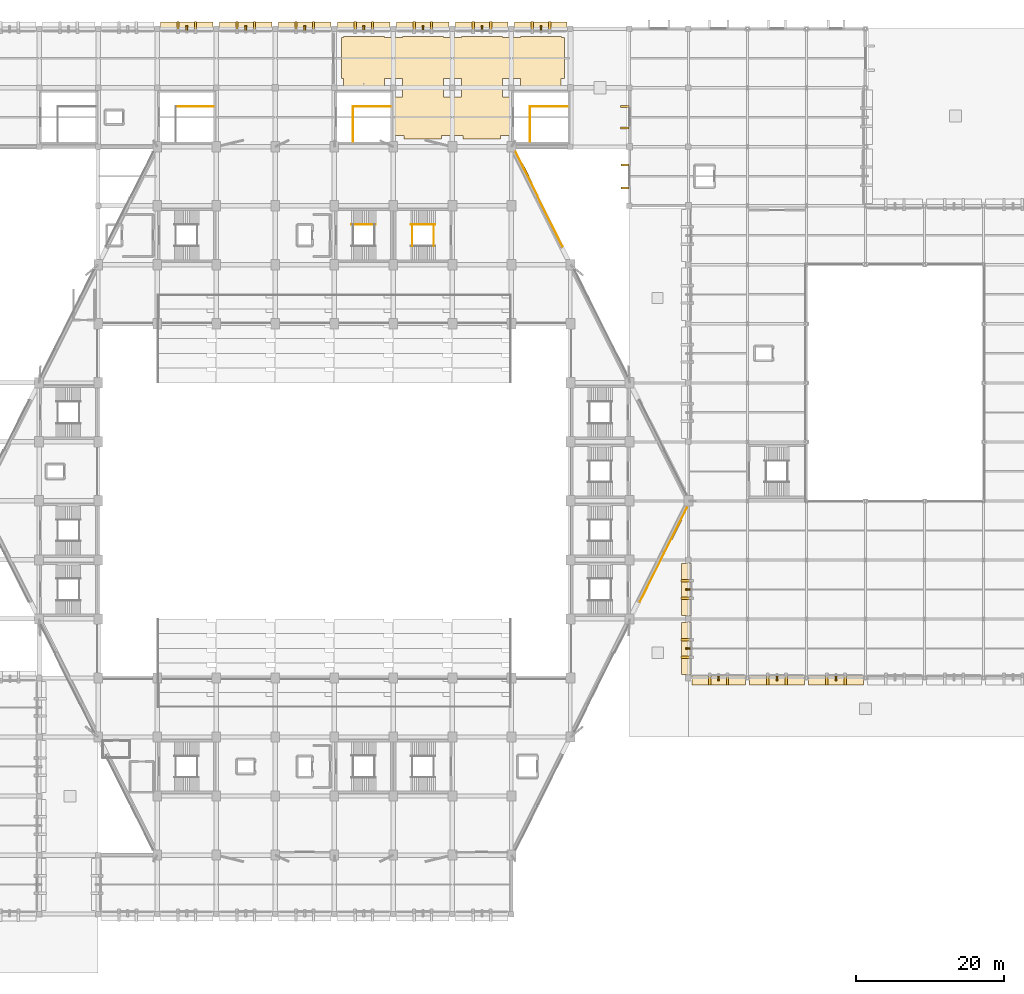
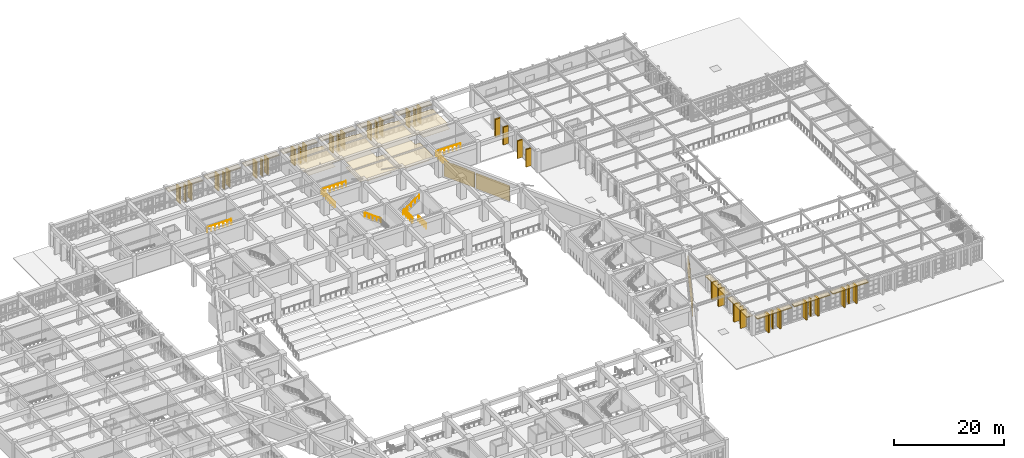
# One storey, part 153 of 155: 45 coverings, 14 shading devices, 9 railings.
"""IFC4 building model written with IfcOpenShell, lengths in metres."""

from ifc_helpers import new_model, si_unit, direction, frame, origin, origin_2d, place, context, subcontext, project, spatial, polyline, rectangle, circle, outline, extrude, material, layer, layer_set, type_object, element, save


model = new_model("IFC4")

# Units and contexts
model_context = context("Model", 3, precision=1e-05, world=origin(), true_north=direction((0.0, 1.0)))
body_context = subcontext(model_context, "Body", "Model", "MODEL_VIEW")
ifc_project = project(units=[si_unit("LENGTHUNIT", "METRE"), si_unit("AREAUNIT", "SQUARE_METRE"), si_unit("VOLUMEUNIT", "CUBIC_METRE"), si_unit("PLANEANGLEUNIT", "RADIAN"), si_unit("MASSUNIT", "GRAM", prefix="KILO")], contexts=[model_context])

# Site, building, storey
site_placement = place(None, origin())
site = spatial("IfcSite", under=ifc_project, at=site_placement, CompositionType="ELEMENT")
building_placement = place(site_placement, origin())
building = spatial("IfcBuilding", under=site, at=building_placement, Name="Tazarka Park Arena", CompositionType="ELEMENT")
storey_placement = place(building_placement, frame((0.0, 0.0, 5.39990234375)))
storey = spatial("IfcBuildingStorey", under=building, at=storey_placement, Name="L01", CompositionType="ELEMENT", Elevation=5.39990234375)

# Coverings
ifc_material_1 = material(Name="Dark ribbed perforated bronze-charcoal aluminium mesh", Category="aluminium")
ifc_layer_1 = layer(ifc_material_1, 0.06005859375, Name="Dark ribbed perforated bronze-charcoal aluminium mesh")
ifc_layer_set_1 = layer_set([ifc_layer_1], Name="Dark ribbed perforated bronze-charcoal aluminium mesh")
covering_type_1 = type_object("IfcCoveringType", Name="CLD-01", PredefinedType="CLADDING", material=ifc_layer_set_1)
covering_1_placement = place(storey_placement, frame((134.31689453125, 60.130859375, 0.0), z_axis=(0.0, 0.0, 1.0), x_axis=(-0.447290848419, -0.89438856037, 0.0)))
element("IfcCovering", 1, at=covering_1_placement, inside=storey, type_object=covering_type_1, Name="Ribbed Metal Mesh Cladding EW-L01-0157", PredefinedType="CLADDING", context=body_context, shape_type="SweptSolid", body=[
    extrude(rectangle(XDim=6.606201171875, YDim=0.06005859375, at=origin_2d()), origin(), (0.0, 0.0, 1.0), 3.449951171875),
])
covering_2_placement = place(storey_placement, frame((131.06298828125, 53.611328125, 0.0), z_axis=(0.0, 0.0, 1.0), x_axis=(-0.447290848419, -0.89438856037, 0.0)))
element("IfcCovering", 2, at=covering_2_placement, inside=storey, type_object=covering_type_1, Name="Ribbed Metal Mesh Cladding EW-L01-0158", PredefinedType="CLADDING", context=body_context, shape_type="SweptSolid", body=[
    extrude(rectangle(XDim=7.366455078125, YDim=0.06005859375, at=origin_2d()), origin(), (0.0, 0.0, 1.0), 3.449951171875),
])
covering_3_placement = place(storey_placement, frame((114.072021484375, 108.325439453125, 0.0), z_axis=(0.0, 0.0, 1.0), x_axis=(0.447290848419, -0.89438856037, 0.0)))
element("IfcCovering", 3, at=covering_3_placement, inside=storey, type_object=covering_type_1, Name="Ribbed Metal Mesh Cladding EW-L01-0164", PredefinedType="CLADDING", context=body_context, shape_type="SweptSolid", body=[
    extrude(rectangle(XDim=6.606201171875, YDim=0.06005859375, at=origin_2d()), origin(), (0.0, 0.0, 1.0), 3.449951171875),
])
covering_4_placement = place(storey_placement, frame((117.285888671875, 101.785888671875, 0.0), z_axis=(0.0, 0.0, 1.0), x_axis=(0.447290848419, -0.89438856037, 0.0)))
element("IfcCovering", 4, at=covering_4_placement, inside=storey, type_object=covering_type_1, Name="Ribbed Metal Mesh Cladding EW-L01-0165", PredefinedType="CLADDING", context=body_context, shape_type="SweptSolid", body=[
    extrude(rectangle(XDim=7.366455078125, YDim=0.06005859375, at=origin_2d()), origin(), (0.0, 0.0, 1.0), 3.449951171875),
])
for number, where, z_axis, x_axis, name in (
    (5, (114.818359375, 128.330078125, 0.0), (0.0, 0.0, 1.0), (1.0, 0.0, 0.0), "Brutalist Precast Brise-Soleil Blade L01-025-1"),
    (6, (117.181640625, 128.330078125, 0.0), (0.0, 0.0, 1.0), (1.0, 0.0, 0.0), "Brutalist Precast Brise-Soleil Blade L01-025-2"),
    (7, (106.818359375, 128.330078125, 0.0), (0.0, 0.0, 1.0), (1.0, 0.0, 0.0), "Brutalist Precast Brise-Soleil Blade L01-028-1"),
    (8, (109.181640625, 128.330078125, 0.0), (0.0, 0.0, 1.0), (1.0, 0.0, 0.0), "Brutalist Precast Brise-Soleil Blade L01-028-2"),
    (9, (98.818359375, 128.330078125, 0.0), (0.0, 0.0, 1.0), (1.0, 0.0, 0.0), "Brutalist Precast Brise-Soleil Blade L01-031-1"),
    (10, (101.181640625, 128.330078125, 0.0), (0.0, 0.0, 1.0), (1.0, 0.0, 0.0), "Brutalist Precast Brise-Soleil Blade L01-031-2"),
    (11, (90.818359375, 128.330078125, 0.0), (0.0, 0.0, 1.0), (1.0, 0.0, 0.0), "Brutalist Precast Brise-Soleil Blade L01-034-1"),
    (12, (93.181640625, 128.330078125, 0.0), (0.0, 0.0, 1.0), (1.0, 0.0, 0.0), "Brutalist Precast Brise-Soleil Blade L01-034-2"),
    (13, (82.818359375, 128.330078125, 0.0), (0.0, 0.0, 1.0), (1.0, 0.0, 0.0), "Brutalist Precast Brise-Soleil Blade L01-037-1"),
    (14, (85.181640625, 128.330078125, 0.0), (0.0, 0.0, 1.0), (1.0, 0.0, 0.0), "Brutalist Precast Brise-Soleil Blade L01-037-2"),
    (15, (74.818359375, 128.330078125, 0.0), (0.0, 0.0, 1.0), (1.0, 0.0, 0.0), "Brutalist Precast Brise-Soleil Blade L01-040-1"),
    (16, (77.181640625, 128.330078125, 0.0), (0.0, 0.0, 1.0), (1.0, 0.0, 0.0), "Brutalist Precast Brise-Soleil Blade L01-040-2"),
    (17, (66.818359375, 128.330078125, 0.0), (0.0, 0.0, 1.0), (1.0, 0.0, 0.0), "Brutalist Precast Brise-Soleil Blade L01-043-1"),
    (18, (69.181640625, 128.330078125, 0.0), (0.0, 0.0, 1.0), (1.0, 0.0, 0.0), "Brutalist Precast Brise-Soleil Blade L01-043-2"),
):
    element("IfcCovering", number, at=place(storey_placement, frame(where, z_axis=z_axis, x_axis=x_axis)), inside=storey, type_object=covering_type_1, Name=name, PredefinedType="CLADDING", context=body_context, shape_type="SweptSolid", body=[
        extrude(rectangle(XDim=0.320068359375, YDim=1.300048828125, at=origin_2d()), origin(), (0.0, 0.0, 1.0), 3.60009765625),
    ])
for number, where, z_axis, x_axis, name in (
    (19, (135.669921875, 50.818359375, 0.000244140625), (0.0, 0.0, 1.0), (0.0, 1.0, 0.0), "Brutalist Precast Brise-Soleil Blade L01-160-1"),
    (20, (135.669921875, 53.181640625, 0.000244140625), (0.0, 0.0, 1.0), (0.0, 1.0, 0.0), "Brutalist Precast Brise-Soleil Blade L01-160-2"),
):
    element("IfcCovering", number, at=place(storey_placement, frame(where, z_axis=z_axis, x_axis=x_axis)), inside=storey, type_object=covering_type_1, Name=name, PredefinedType="CLADDING", context=body_context, shape_type="SweptSolid", body=[
        extrude(rectangle(XDim=0.320068359375, YDim=1.300048828125, at=origin_2d()), origin(), (0.0, 0.0, 1.0), 3.89990234375),
    ])
for number, where, z_axis, x_axis, name in (
    (21, (135.669921875, 42.818359375, 0.0), (0.0, 0.0, 1.0), (0.0, 1.0, 0.0), "Brutalist Precast Brise-Soleil Blade L01-163-1"),
    (22, (135.669921875, 45.181640625, 0.0), (0.0, 0.0, 1.0), (0.0, 1.0, 0.0), "Brutalist Precast Brise-Soleil Blade L01-163-2"),
    (23, (141.296142578125, 39.669921875, 0.0), (0.0, 0.0, 1.0), (-1.0, 0.0, 0.0), "Brutalist Precast Brise-Soleil Blade L01-166-1"),
    (24, (138.87548828125, 39.669921875, 0.0), (0.0, 0.0, 1.0), (-1.0, 0.0, 0.0), "Brutalist Precast Brise-Soleil Blade L01-166-2"),
    (25, (149.239013671875, 39.669921875, 0.0), (0.0, 0.0, 1.0), (-1.0, 0.0, 0.0), "Brutalist Precast Brise-Soleil Blade L01-169-1"),
    (26, (146.760986328125, 39.669921875, 0.0), (0.0, 0.0, 1.0), (-1.0, 0.0, 0.0), "Brutalist Precast Brise-Soleil Blade L01-169-2"),
    (27, (157.239013671875, 39.669921875, 0.0), (0.0, 0.0, 1.0), (-1.0, 0.0, 0.0), "Brutalist Precast Brise-Soleil Blade L01-172-1"),
    (28, (154.760986328125, 39.669921875, 0.0), (0.0, 0.0, 1.0), (-1.0, 0.0, 0.0), "Brutalist Precast Brise-Soleil Blade L01-172-2"),
):
    element("IfcCovering", number, at=place(storey_placement, frame(where, z_axis=z_axis, x_axis=x_axis)), inside=storey, type_object=covering_type_1, Name=name, PredefinedType="CLADDING", context=body_context, shape_type="SweptSolid", body=[
        extrude(rectangle(XDim=0.320068359375, YDim=1.300048828125, at=origin_2d()), origin(), (0.0, 0.0, 1.0), 3.909912109375),
    ])
for number, where, z_axis, x_axis, name in (
    (29, (127.360107421875, 114.570068359375, 0.000244140625), (0.0, 0.0, 1.0), (0.0, 1.0, 0.0), "Window Reveal Brise-Soleil Fin L01-0029-1"),
    (30, (127.360107421875, 117.47998046875, 0.000244140625), (0.0, 0.0, 1.0), (0.0, 1.0, 0.0), "Window Reveal Brise-Soleil Fin L01-0029-2"),
):
    element("IfcCovering", number, at=place(storey_placement, frame(where, z_axis=z_axis, x_axis=x_axis)), inside=storey, type_object=covering_type_1, Name=name, PredefinedType="CLADDING", context=body_context, shape_type="SweptSolid", body=[
        extrude(rectangle(XDim=0.280029296875, YDim=1.10009765625, at=origin_2d()), origin(), (0.0, 0.0, 1.0), 3.89990234375),
    ])
for number, where, z_axis, x_axis, name in (
    (31, (127.409912109375, 106.419921875, 0.0), (0.0, 0.0, 1.0), (0.0, 1.0, 0.0), "Window Reveal Brise-Soleil Fin L01-0030-1"),
    (32, (127.409912109375, 109.530029296875, 0.0), (0.0, 0.0, 1.0), (0.0, 1.0, 0.0), "Window Reveal Brise-Soleil Fin L01-0030-2"),
):
    element("IfcCovering", number, at=place(storey_placement, frame(where, z_axis=z_axis, x_axis=x_axis)), inside=storey, type_object=covering_type_1, Name=name, PredefinedType="CLADDING", context=body_context, shape_type="SweptSolid", body=[
        extrude(rectangle(XDim=0.280029296875, YDim=1.10009765625, at=origin_2d()), origin(), (0.0, 0.0, 1.0), 3.909912109375),
    ])
ifc_material_2 = material(Name="Perforated acoustic mineral-wool ceiling tile")
ifc_layer_2 = layer(ifc_material_2, 0.0400390625, Name="Perforated acoustic mineral-wool ceiling tile")
ifc_layer_set_2 = layer_set([ifc_layer_2], Name="Perforated acoustic mineral-wool ceiling tile")
covering_type_2 = type_object("IfcCoveringType", Name="CLG-01", PredefinedType="CEILING", material=ifc_layer_set_2)
covering_5_placement = place(storey_placement, frame((0.0, 0.0, 3.10009765625)))
element("IfcCovering", 33, at=covering_5_placement, inside=storey, type_object=covering_type_2, Name="Acoustic Ceiling Hospitality Suite North-East 5", PredefinedType="CEILING", context=body_context, shape_type="SweptSolid", body=[
    extrude(outline(polyline([(94.77490234375, 126.949951171875), (94.77490234375, 126.77490234375), (97.22509765625, 126.77490234375), (97.22509765625, 126.949951171875), (102.77490234375, 126.949951171875), (102.77490234375, 126.77490234375), (105.22509765625, 126.77490234375), (105.22509765625, 126.949951171875), (110.77490234375, 126.949951171875), (110.77490234375, 126.77490234375), (113.22509765625, 126.77490234375), (113.22509765625, 126.949951171875), (118.77490234375, 126.949951171875), (118.77490234375, 126.77490234375), (119.199951171875, 126.77490234375), (119.199951171875, 121.27490234375), (118.72509765625, 121.27490234375), (118.72509765625, 119.8818359375), (113.22509765625, 119.888916015625), (113.22509765625, 121.22509765625), (110.77490234375, 121.22509765625), (110.77490234375, 118.77490234375), (111.81005859375, 118.77490234375), (111.81005859375, 113.550048828125), (110.550048828125, 113.550048828125), (110.550048828125, 113.050048828125), (105.449951171875, 113.050048828125), (105.449951171875, 113.550048828125), (102.550048828125, 113.550048828125), (102.550048828125, 113.050048828125), (97.449951171875, 113.050048828125), (97.449951171875, 113.550048828125), (96.18994140625, 113.550048828125), (96.18994140625, 118.77490234375), (97.22509765625, 118.77490234375), (97.22509765625, 121.22509765625), (94.77490234375, 121.22509765625), (94.77490234375, 119.889892578125), (89.22509765625, 119.889892578125), (89.22509765625, 121.22509765625), (88.949951171875, 121.22509765625), (88.949951171875, 126.77490234375), (89.22509765625, 126.77490234375), (89.22509765625, 126.949951171875), (94.77490234375, 126.949951171875)]), holes=[polyline([(105.22509765625, 121.22509765625), (102.77490234375, 121.22509765625), (102.77490234375, 118.77490234375), (105.22509765625, 118.77490234375), (105.22509765625, 121.22509765625)])]), origin(), (0.0, 0.0, 1.0), 0.0400390625),
])

# Railings
ifc_material_3 = material(Name="Brushed architectural stainless steel", Category="steel")
railing_type_1 = type_object("IfcRailingType", Name="HR-01", PredefinedType="HANDRAIL", material=ifc_material_3)
railing_1_placement = place(storey_placement, frame((98.3701171875, 101.449951171875, 2.400146484375)))
element("IfcRailing", 34, at=railing_1_placement, inside=storey, type_object=railing_type_1, Name="Stair Handrail ST10-L01-F2", PredefinedType="HANDRAIL", context=body_context, shape_type="SweptSolid", body=[
    extrude(circle(Radius=0.02392578125, at=origin_2d()), frame((0.0, 0.0, 0.89599609375), z_axis=(0.810008566192, 0.0, 0.586418044312), x_axis=(0.0, 1.0, 0.0)), (0.0, 0.0, 1.0), 4.092529296875),
    extrude(circle(Radius=0.02099609375, at=origin_2d()), origin(), (0.0, 0.0, 1.0), 0.871826171875),
    extrude(circle(Radius=0.02099609375, at=origin_2d()), frame((0.82861328125, 0.0, 0.60009765625)), (0.0, 0.0, 1.0), 0.871826171875),
    extrude(circle(Radius=0.02099609375, at=origin_2d()), frame((1.657470703125, 0.0, 1.199951171875)), (0.0, 0.0, 1.0), 0.871826171875),
    extrude(circle(Radius=0.02099609375, at=origin_2d()), frame((2.486328125, 0.0, 1.7998046875)), (0.0, 0.0, 1.0), 0.871826171875),
    extrude(circle(Radius=0.02099609375, at=origin_2d()), frame((3.31494140625, 0.0, 2.39990234375)), (0.0, 0.0, 1.0), 0.871826171875),
])
railing_2_placement = place(storey_placement, frame((93.6298828125, 101.449951171875, 2.400146484375)))
element("IfcRailing", 35, at=railing_2_placement, inside=storey, type_object=railing_type_1, Name="Stair Handrail ST15-L01-F2", PredefinedType="HANDRAIL", context=body_context, shape_type="SweptSolid", body=[
    extrude(circle(Radius=0.02392578125, at=origin_2d()), frame((0.0, 0.0, 0.89599609375), z_axis=(-0.810008566192, 0.0, 0.586418044312), x_axis=(0.0, -1.0, 0.0)), (0.0, 0.0, 1.0), 4.092529296875),
    extrude(circle(Radius=0.02099609375, at=origin_2d()), origin(), (0.0, 0.0, 1.0), 0.871826171875),
    extrude(circle(Radius=0.02099609375, at=origin_2d()), frame((-0.82861328125, 0.0, 0.60009765625)), (0.0, 0.0, 1.0), 0.871826171875),
    extrude(circle(Radius=0.02099609375, at=origin_2d()), frame((-1.657470703125, 0.0, 1.199951171875)), (0.0, 0.0, 1.0), 0.871826171875),
    extrude(circle(Radius=0.02099609375, at=origin_2d()), frame((-2.486328125, 0.0, 1.7998046875)), (0.0, 0.0, 1.0), 0.871826171875),
    extrude(circle(Radius=0.02099609375, at=origin_2d()), frame((-3.31494140625, 0.0, 2.39990234375)), (0.0, 0.0, 1.0), 0.871826171875),
])
ifc_material_4 = material(Name="Galvanised powder-coated architectural steel", Category="steel")
railing_type_2 = type_object("IfcRailingType", Name="IGR-01", PredefinedType="GUARDRAIL", material=ifc_material_4)
railing_3_placement = place(storey_placement, frame((66.514892578125, 117.449951171875, 0.0)))
element("IfcRailing", 36, at=railing_3_placement, inside=storey, type_object=railing_type_2, Name="Top Well Guardrail ST06-L01", PredefinedType="GUARDRAIL", context=body_context, shape_type="SweptSolid", body=[
    extrude(circle(Radius=0.02392578125, at=origin_2d()), frame((0.0, 0.0, 1.1259765625), z_axis=(1.0, 0.0, 0.0), x_axis=(0.0, 1.0, 0.0)), (0.0, 0.0, 1.0), 5.105224609375),
    extrude(circle(Radius=0.02099609375, at=origin_2d()), origin(), (0.0, 0.0, 1.0), 1.101806640625),
    extrude(circle(Radius=0.02099609375, at=origin_2d()), frame((0.850830078125, 0.0, 0.0)), (0.0, 0.0, 1.0), 1.101806640625),
    extrude(circle(Radius=0.02099609375, at=origin_2d()), frame((1.70166015625, 0.0, 0.0)), (0.0, 0.0, 1.0), 1.101806640625),
    extrude(circle(Radius=0.02099609375, at=origin_2d()), frame((2.552734375, 0.0, 0.0)), (0.0, 0.0, 1.0), 1.101806640625),
    extrude(circle(Radius=0.02099609375, at=origin_2d()), frame((3.403564453125, 0.0, 0.0)), (0.0, 0.0, 1.0), 1.101806640625),
    extrude(circle(Radius=0.02099609375, at=origin_2d()), frame((4.25439453125, 0.0, 0.0)), (0.0, 0.0, 1.0), 1.101806640625),
    extrude(circle(Radius=0.02099609375, at=origin_2d()), frame((5.105224609375, 0.0, 0.0)), (0.0, 0.0, 1.0), 1.101806640625),
])
railing_4_placement = place(storey_placement, frame((90.514892578125, 112.679931640625, 0.0)))
element("IfcRailing", 37, at=railing_4_placement, inside=storey, type_object=railing_type_2, Name="Stair Well Guardrail ST07-L01", PredefinedType="GUARDRAIL", context=body_context, shape_type="SweptSolid", body=[
    extrude(circle(Radius=0.02392578125, at=origin_2d()), frame((0.0, 0.0, 1.1259765625), z_axis=(0.0, 1.0, 0.0), x_axis=(-1.0, 0.0, 0.0)), (0.0, 0.0, 1.0), 4.77001953125),
    extrude(circle(Radius=0.02099609375, at=origin_2d()), origin(), (0.0, 0.0, 1.0), 1.101806640625),
    extrude(circle(Radius=0.02099609375, at=origin_2d()), frame((0.0, 0.794921875, 0.0)), (0.0, 0.0, 1.0), 1.101806640625),
    extrude(circle(Radius=0.02099609375, at=origin_2d()), frame((0.0, 1.590087890625, 0.0)), (0.0, 0.0, 1.0), 1.101806640625),
    extrude(circle(Radius=0.02099609375, at=origin_2d()), frame((0.0, 2.385009765625, 0.0)), (0.0, 0.0, 1.0), 1.101806640625),
    extrude(circle(Radius=0.02099609375, at=origin_2d()), frame((0.0, 3.179931640625, 0.0)), (0.0, 0.0, 1.0), 1.101806640625),
    extrude(circle(Radius=0.02099609375, at=origin_2d()), frame((0.0, 3.97509765625, 0.0)), (0.0, 0.0, 1.0), 1.101806640625),
    extrude(circle(Radius=0.02099609375, at=origin_2d()), frame((0.0, 4.77001953125, 0.0)), (0.0, 0.0, 1.0), 1.101806640625),
])
railing_5_placement = place(storey_placement, frame((90.514892578125, 117.449951171875, 0.0)))
element("IfcRailing", 38, at=railing_5_placement, inside=storey, type_object=railing_type_2, Name="Top Well Guardrail ST07-L01", PredefinedType="GUARDRAIL", context=body_context, shape_type="SweptSolid", body=[
    extrude(circle(Radius=0.02392578125, at=origin_2d()), frame((0.0, 0.0, 1.1259765625), z_axis=(1.0, 0.0, 0.0), x_axis=(0.0, 1.0, 0.0)), (0.0, 0.0, 1.0), 5.105224609375),
    extrude(circle(Radius=0.02099609375, at=origin_2d()), origin(), (0.0, 0.0, 1.0), 1.101806640625),
    extrude(circle(Radius=0.02099609375, at=origin_2d()), frame((0.850830078125, 0.0, 0.0)), (0.0, 0.0, 1.0), 1.101806640625),
    extrude(circle(Radius=0.02099609375, at=origin_2d()), frame((1.70166015625, 0.0, 0.0)), (0.0, 0.0, 1.0), 1.101806640625),
    extrude(circle(Radius=0.02099609375, at=origin_2d()), frame((2.552734375, 0.0, 0.0)), (0.0, 0.0, 1.0), 1.101806640625),
    extrude(circle(Radius=0.02099609375, at=origin_2d()), frame((3.403564453125, 0.0, 0.0)), (0.0, 0.0, 1.0), 1.101806640625),
    extrude(circle(Radius=0.02099609375, at=origin_2d()), frame((4.25439453125, 0.0, 0.0)), (0.0, 0.0, 1.0), 1.101806640625),
    extrude(circle(Radius=0.02099609375, at=origin_2d()), frame((5.105224609375, 0.0, 0.0)), (0.0, 0.0, 1.0), 1.101806640625),
])
railing_6_placement = place(storey_placement, frame((114.514892578125, 112.679931640625, 0.0)))
element("IfcRailing", 39, at=railing_6_placement, inside=storey, type_object=railing_type_2, Name="Stair Well Guardrail ST08-L01", PredefinedType="GUARDRAIL", context=body_context, shape_type="SweptSolid", body=[
    extrude(circle(Radius=0.02392578125, at=origin_2d()), frame((0.0, 0.0, 1.1259765625), z_axis=(0.0, 1.0, 0.0), x_axis=(-1.0, 0.0, 0.0)), (0.0, 0.0, 1.0), 4.77001953125),
    extrude(circle(Radius=0.02099609375, at=origin_2d()), origin(), (0.0, 0.0, 1.0), 1.101806640625),
    extrude(circle(Radius=0.02099609375, at=origin_2d()), frame((0.0, 0.794921875, 0.0)), (0.0, 0.0, 1.0), 1.101806640625),
    extrude(circle(Radius=0.02099609375, at=origin_2d()), frame((0.0, 1.590087890625, 0.0)), (0.0, 0.0, 1.0), 1.101806640625),
    extrude(circle(Radius=0.02099609375, at=origin_2d()), frame((0.0, 2.385009765625, 0.0)), (0.0, 0.0, 1.0), 1.101806640625),
    extrude(circle(Radius=0.02099609375, at=origin_2d()), frame((0.0, 3.179931640625, 0.0)), (0.0, 0.0, 1.0), 1.101806640625),
    extrude(circle(Radius=0.02099609375, at=origin_2d()), frame((0.0, 3.97509765625, 0.0)), (0.0, 0.0, 1.0), 1.101806640625),
    extrude(circle(Radius=0.02099609375, at=origin_2d()), frame((0.0, 4.77001953125, 0.0)), (0.0, 0.0, 1.0), 1.101806640625),
])
railing_7_placement = place(storey_placement, frame((114.514892578125, 117.449951171875, 0.0)))
element("IfcRailing", 40, at=railing_7_placement, inside=storey, type_object=railing_type_2, Name="Top Well Guardrail ST08-L01", PredefinedType="GUARDRAIL", context=body_context, shape_type="SweptSolid", body=[
    extrude(circle(Radius=0.02392578125, at=origin_2d()), frame((0.0, 0.0, 1.1259765625), z_axis=(1.0, 0.0, 0.0), x_axis=(0.0, 1.0, 0.0)), (0.0, 0.0, 1.0), 5.105224609375),
    extrude(circle(Radius=0.02099609375, at=origin_2d()), origin(), (0.0, 0.0, 1.0), 1.101806640625),
    extrude(circle(Radius=0.02099609375, at=origin_2d()), frame((0.850830078125, 0.0, 0.0)), (0.0, 0.0, 1.0), 1.101806640625),
    extrude(circle(Radius=0.02099609375, at=origin_2d()), frame((1.70166015625, 0.0, 0.0)), (0.0, 0.0, 1.0), 1.101806640625),
    extrude(circle(Radius=0.02099609375, at=origin_2d()), frame((2.552734375, 0.0, 0.0)), (0.0, 0.0, 1.0), 1.101806640625),
    extrude(circle(Radius=0.02099609375, at=origin_2d()), frame((3.403564453125, 0.0, 0.0)), (0.0, 0.0, 1.0), 1.101806640625),
    extrude(circle(Radius=0.02099609375, at=origin_2d()), frame((4.25439453125, 0.0, 0.0)), (0.0, 0.0, 1.0), 1.101806640625),
    extrude(circle(Radius=0.02099609375, at=origin_2d()), frame((5.105224609375, 0.0, 0.0)), (0.0, 0.0, 1.0), 1.101806640625),
])
for number, where, name in (
    (41, (101.485107421875, 98.550048828125, 0.0), "Stair Well Guardrail ST10-L01"),
    (42, (98.570068359375, 98.550048828125, 2.400146484375), "Landing Guardrail ST10-L01-M"),
):
    element("IfcRailing", number, at=place(storey_placement, frame(where)), inside=storey, type_object=railing_type_2, Name=name, PredefinedType="GUARDRAIL", context=body_context, shape_type="SweptSolid", body=[
        extrude(circle(Radius=0.02392578125, at=origin_2d()), frame((0.0, 0.0, 1.1259765625), z_axis=(0.0, 1.0, 0.0), x_axis=(-1.0, 0.0, 0.0)), (0.0, 0.0, 1.0), 2.89990234375),
        extrude(circle(Radius=0.02099609375, at=origin_2d()), origin(), (0.0, 0.0, 1.0), 1.101806640625),
        extrude(circle(Radius=0.02099609375, at=origin_2d()), frame((0.0, 0.72509765625, 0.0)), (0.0, 0.0, 1.0), 1.101806640625),
        extrude(circle(Radius=0.02099609375, at=origin_2d()), frame((0.0, 1.449951171875, 0.0)), (0.0, 0.0, 1.0), 1.101806640625),
        extrude(circle(Radius=0.02099609375, at=origin_2d()), frame((0.0, 2.1748046875, 0.0)), (0.0, 0.0, 1.0), 1.101806640625),
        extrude(circle(Radius=0.02099609375, at=origin_2d()), frame((0.0, 2.89990234375, 0.0)), (0.0, 0.0, 1.0), 1.101806640625),
    ])

# Coverings
ifc_material_5 = material(Name="Standing-seam acoustic aluminium roofing membrane", Category="aluminium")
ifc_layer_3 = layer(ifc_material_5, 0.050048828125, Name="Standing-seam acoustic aluminium roofing membrane")
ifc_layer_set_3 = layer_set([ifc_layer_3], Name="Standing-seam acoustic aluminium roofing membrane")
covering_type_3 = type_object("IfcCoveringType", Name="RFG-01", PredefinedType="ROOFING", material=ifc_layer_set_3)
covering_6_placement = place(storey_placement, frame((0.0, 0.0, 3.360107421875)))
element("IfcCovering", 43, at=covering_6_placement, inside=storey, type_object=covering_type_3, Name="Brutalist Sun-Hood Overhang L01-025", PredefinedType="ROOFING", context=body_context, shape_type="SweptSolid", body=[
    extrude(outline(polyline([(112.455078125, 127.679931640625), (119.544921875, 127.679931640625), (119.544921875, 128.929931640625), (112.455078125, 128.929931640625), (112.455078125, 127.679931640625)])), origin(), (0.0, 0.0, 1.0), 0.219970703125),
])
covering_7_placement = place(storey_placement, frame((0.0, 0.0, 3.360107421875)))
element("IfcCovering", 44, at=covering_7_placement, inside=storey, type_object=covering_type_3, Name="Brutalist Sun-Hood Overhang L01-028", PredefinedType="ROOFING", context=body_context, shape_type="SweptSolid", body=[
    extrude(outline(polyline([(104.455078125, 127.679931640625), (111.544921875, 127.679931640625), (111.544921875, 128.929931640625), (104.455078125, 128.929931640625), (104.455078125, 127.679931640625)])), origin(), (0.0, 0.0, 1.0), 0.219970703125),
])
covering_8_placement = place(storey_placement, frame((0.0, 0.0, 3.360107421875)))
element("IfcCovering", 45, at=covering_8_placement, inside=storey, type_object=covering_type_3, Name="Brutalist Sun-Hood Overhang L01-031", PredefinedType="ROOFING", context=body_context, shape_type="SweptSolid", body=[
    extrude(outline(polyline([(96.455078125, 127.679931640625), (103.544921875, 127.679931640625), (103.544921875, 128.929931640625), (96.455078125, 128.929931640625), (96.455078125, 127.679931640625)])), origin(), (0.0, 0.0, 1.0), 0.219970703125),
])
covering_9_placement = place(storey_placement, frame((0.0, 0.0, 3.360107421875)))
element("IfcCovering", 46, at=covering_9_placement, inside=storey, type_object=covering_type_3, Name="Brutalist Sun-Hood Overhang L01-034", PredefinedType="ROOFING", context=body_context, shape_type="SweptSolid", body=[
    extrude(outline(polyline([(88.455078125, 127.679931640625), (95.544921875, 127.679931640625), (95.544921875, 128.929931640625), (88.455078125, 128.929931640625), (88.455078125, 127.679931640625)])), origin(), (0.0, 0.0, 1.0), 0.219970703125),
])
covering_10_placement = place(storey_placement, frame((0.0, 0.0, 3.360107421875)))
element("IfcCovering", 47, at=covering_10_placement, inside=storey, type_object=covering_type_3, Name="Brutalist Sun-Hood Overhang L01-037", PredefinedType="ROOFING", context=body_context, shape_type="SweptSolid", body=[
    extrude(outline(polyline([(80.455078125, 127.679931640625), (87.544921875, 127.679931640625), (87.544921875, 128.929931640625), (80.455078125, 128.929931640625), (80.455078125, 127.679931640625)])), origin(), (0.0, 0.0, 1.0), 0.219970703125),
])
covering_11_placement = place(storey_placement, frame((0.0, 0.0, 3.360107421875)))
element("IfcCovering", 48, at=covering_11_placement, inside=storey, type_object=covering_type_3, Name="Brutalist Sun-Hood Overhang L01-040", PredefinedType="ROOFING", context=body_context, shape_type="SweptSolid", body=[
    extrude(outline(polyline([(72.455078125, 127.679931640625), (79.544921875, 127.679931640625), (79.544921875, 128.929931640625), (72.455078125, 128.929931640625), (72.455078125, 127.679931640625)])), origin(), (0.0, 0.0, 1.0), 0.219970703125),
])
covering_12_placement = place(storey_placement, frame((0.0, 0.0, 3.360107421875)))
element("IfcCovering", 49, at=covering_12_placement, inside=storey, type_object=covering_type_3, Name="Brutalist Sun-Hood Overhang L01-043", PredefinedType="ROOFING", context=body_context, shape_type="SweptSolid", body=[
    extrude(outline(polyline([(64.455078125, 127.679931640625), (71.544921875, 127.679931640625), (71.544921875, 128.929931640625), (64.455078125, 128.929931640625), (64.455078125, 127.679931640625)])), origin(), (0.0, 0.0, 1.0), 0.219970703125),
])
covering_13_placement = place(storey_placement, frame((0.0, 0.0, 3.66015625)))
element("IfcCovering", 50, at=covering_13_placement, inside=storey, type_object=covering_type_3, Name="Brutalist Sun-Hood Overhang L01-160", PredefinedType="ROOFING", context=body_context, shape_type="SweptSolid", body=[
    extrude(outline(polyline([(136.320068359375, 48.455078125), (136.320068359375, 55.544921875), (135.070068359375, 55.544921875), (135.070068359375, 48.455078125), (136.320068359375, 48.455078125)])), origin(), (0.0, 0.0, 1.0), 0.219970703125),
])
covering_14_placement = place(storey_placement, frame((0.0, 0.0, 3.670166015625)))
element("IfcCovering", 51, at=covering_14_placement, inside=storey, type_object=covering_type_3, Name="Brutalist Sun-Hood Overhang L01-163", PredefinedType="ROOFING", context=body_context, shape_type="SweptSolid", body=[
    extrude(outline(polyline([(136.320068359375, 40.455078125), (136.320068359375, 47.544921875), (135.070068359375, 47.544921875), (135.070068359375, 40.455078125), (136.320068359375, 40.455078125)])), origin(), (0.0, 0.0, 1.0), 0.219970703125),
])
covering_15_placement = place(storey_placement, frame((0.0, 0.0, 3.670166015625)))
element("IfcCovering", 52, at=covering_15_placement, inside=storey, type_object=covering_type_3, Name="Brutalist Sun-Hood Overhang L01-166", PredefinedType="ROOFING", context=body_context, shape_type="SweptSolid", body=[
    extrude(outline(polyline([(143.716796875, 40.320068359375), (136.455078125, 40.320068359375), (136.455078125, 39.070068359375), (143.716796875, 39.070068359375), (143.716796875, 40.320068359375)])), origin(), (0.0, 0.0, 1.0), 0.219970703125),
])
covering_16_placement = place(storey_placement, frame((0.0, 0.0, 3.670166015625)))
element("IfcCovering", 53, at=covering_16_placement, inside=storey, type_object=covering_type_3, Name="Brutalist Sun-Hood Overhang L01-169", PredefinedType="ROOFING", context=body_context, shape_type="SweptSolid", body=[
    extrude(outline(polyline([(151.716796875, 40.320068359375), (144.283203125, 40.320068359375), (144.283203125, 39.070068359375), (151.716796875, 39.070068359375), (151.716796875, 40.320068359375)])), origin(), (0.0, 0.0, 1.0), 0.219970703125),
])
covering_17_placement = place(storey_placement, frame((0.0, 0.0, 3.670166015625)))
element("IfcCovering", 54, at=covering_17_placement, inside=storey, type_object=covering_type_3, Name="Brutalist Sun-Hood Overhang L01-172", PredefinedType="ROOFING", context=body_context, shape_type="SweptSolid", body=[
    extrude(outline(polyline([(159.716796875, 40.320068359375), (152.283203125, 40.320068359375), (152.283203125, 39.070068359375), (159.716796875, 39.070068359375), (159.716796875, 40.320068359375)])), origin(), (0.0, 0.0, 1.0), 0.219970703125),
])

# Shading devices
ifc_material_6 = material(Name="Precast concrete C40/50", Category="concrete")
shading_device_type_1 = type_object("IfcShadingDeviceType", Name="SHD-01", PredefinedType="SHUTTER", material=ifc_material_6)
for number, where, z_axis, x_axis, name in (
    (55, (116.0, 128.02001953125, -0.0400390625), (0.0, 0.0, 1.0), (1.0, 0.0, 0.0), "Brise-Soleil Fin BS-009"),
    (56, (108.0, 128.02001953125, -0.0400390625), (0.0, 0.0, 1.0), (1.0, 0.0, 0.0), "Brise-Soleil Fin BS-010"),
    (57, (100.0, 128.02001953125, -0.0400390625), (0.0, 0.0, 1.0), (1.0, 0.0, 0.0), "Brise-Soleil Fin BS-011"),
    (58, (92.0, 128.02001953125, -0.0400390625), (0.0, 0.0, 1.0), (1.0, 0.0, 0.0), "Brise-Soleil Fin BS-012"),
    (59, (84.0, 128.02001953125, -0.0400390625), (0.0, 0.0, 1.0), (1.0, 0.0, 0.0), "Brise-Soleil Fin BS-013"),
    (60, (76.0, 128.02001953125, -0.0400390625), (0.0, 0.0, 1.0), (1.0, 0.0, 0.0), "Brise-Soleil Fin BS-014"),
    (61, (68.0, 128.02001953125, -0.0400390625), (0.0, 0.0, 1.0), (1.0, 0.0, 0.0), "Brise-Soleil Fin BS-015"),
):
    element("IfcShadingDevice", number, at=place(storey_placement, frame(where, z_axis=z_axis, x_axis=x_axis)), inside=storey, type_object=shading_device_type_1, Name=name, PredefinedType="SHUTTER", context=body_context, shape_type="SweptSolid", body=[
        extrude(rectangle(XDim=0.219970703125, YDim=0.719970703125, at=origin_2d()), origin(), (0.0, 0.0, 1.0), 3.679931640625),
    ])
shading_device_placement = place(storey_placement, frame((135.97998046875, 52.0, -0.039794921875), z_axis=(0.0, 0.0, 1.0), x_axis=(0.0, 1.0, 0.0)))
element("IfcShadingDevice", 62, at=shading_device_placement, inside=storey, type_object=shading_device_type_1, Name="Brise-Soleil Fin BS-054", PredefinedType="SHUTTER", context=body_context, shape_type="SweptSolid", body=[
    extrude(rectangle(XDim=0.219970703125, YDim=0.719970703125, at=origin_2d()), origin(), (0.0, 0.0, 1.0), 3.97998046875),
])
for number, where, z_axis, x_axis, name in (
    (63, (135.97998046875, 44.0, -0.0400390625), (0.0, 0.0, 1.0), (0.0, 1.0, 0.0), "Brise-Soleil Fin BS-055"),
    (64, (140.0859375, 39.97998046875, -0.0400390625), (0.0, 0.0, 1.0), (-1.0, 0.0, 0.0), "Brise-Soleil Fin BS-056"),
    (65, (148.0, 39.97998046875, -0.0400390625), (0.0, 0.0, 1.0), (-1.0, 0.0, 0.0), "Brise-Soleil Fin BS-057"),
    (66, (156.0, 39.97998046875, -0.0400390625), (0.0, 0.0, 1.0), (-1.0, 0.0, 0.0), "Brise-Soleil Fin BS-058"),
):
    element("IfcShadingDevice", number, at=place(storey_placement, frame(where, z_axis=z_axis, x_axis=x_axis)), inside=storey, type_object=shading_device_type_1, Name=name, PredefinedType="SHUTTER", context=body_context, shape_type="SweptSolid", body=[
        extrude(rectangle(XDim=0.219970703125, YDim=0.719970703125, at=origin_2d()), origin(), (0.0, 0.0, 1.0), 3.989990234375),
    ])
ifc_material_7 = material(Name="Dark ribbed perforated bronze-charcoal aluminium mesh", Category="aluminium")
shading_device_type_2 = type_object("IfcShadingDeviceType", Name="SHD-02", PredefinedType="JALOUSIE", material=ifc_material_7)
for number, where, z_axis, x_axis, name in (
    (67, (134.37060546875, 60.10400390625, 0.0), (0.0, 0.0, 1.0), (-0.447290848419, -0.89438856037, 0.0), "Perforated Mesh Screen EW-L01-0157"),
    (68, (114.125732421875, 108.352294921875, 0.0), (0.0, 0.0, 1.0), (0.447290848419, -0.89438856037, 0.0), "Perforated Mesh Screen EW-L01-0164"),
):
    element("IfcShadingDevice", number, at=place(storey_placement, frame(where, z_axis=z_axis, x_axis=x_axis)), inside=storey, type_object=shading_device_type_2, Name=name, PredefinedType="JALOUSIE", context=body_context, shape_type="SweptSolid", body=[
        extrude(rectangle(XDim=3.0, YDim=0.139892578125, at=origin_2d()), origin(), (0.0, 0.0, 1.0), 3.449951171875),
    ])

save(model, "model.ifc")
